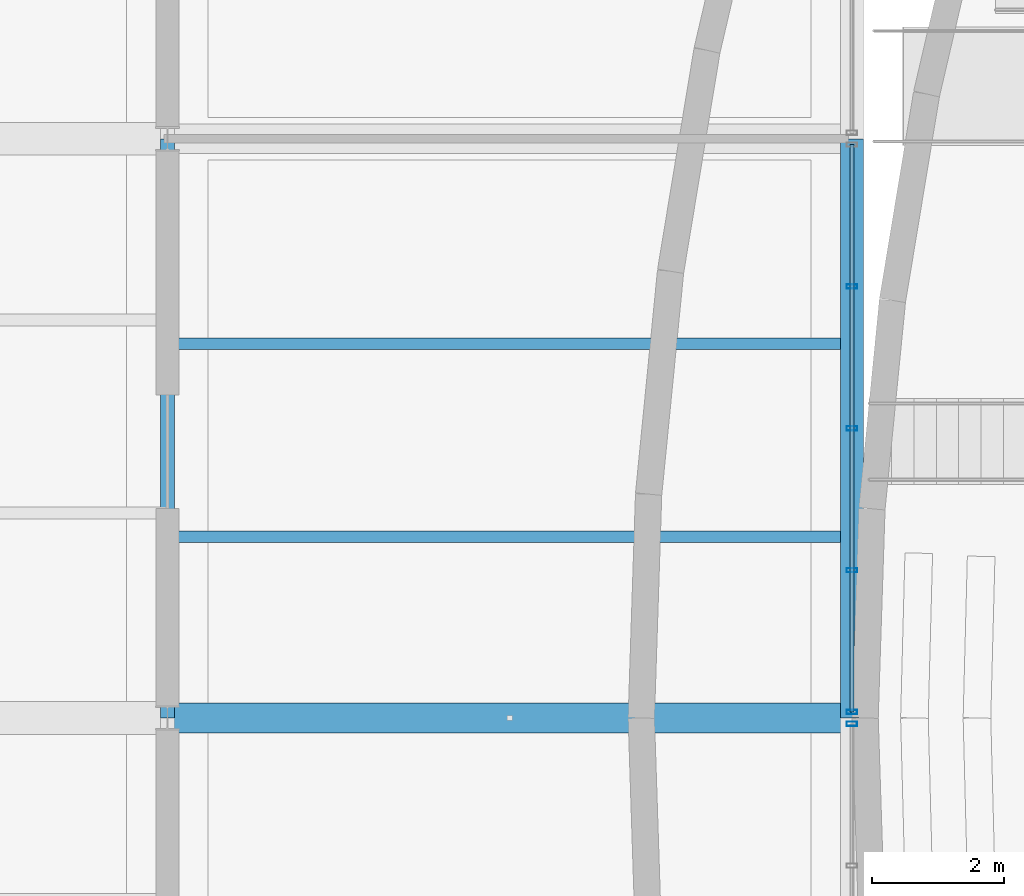
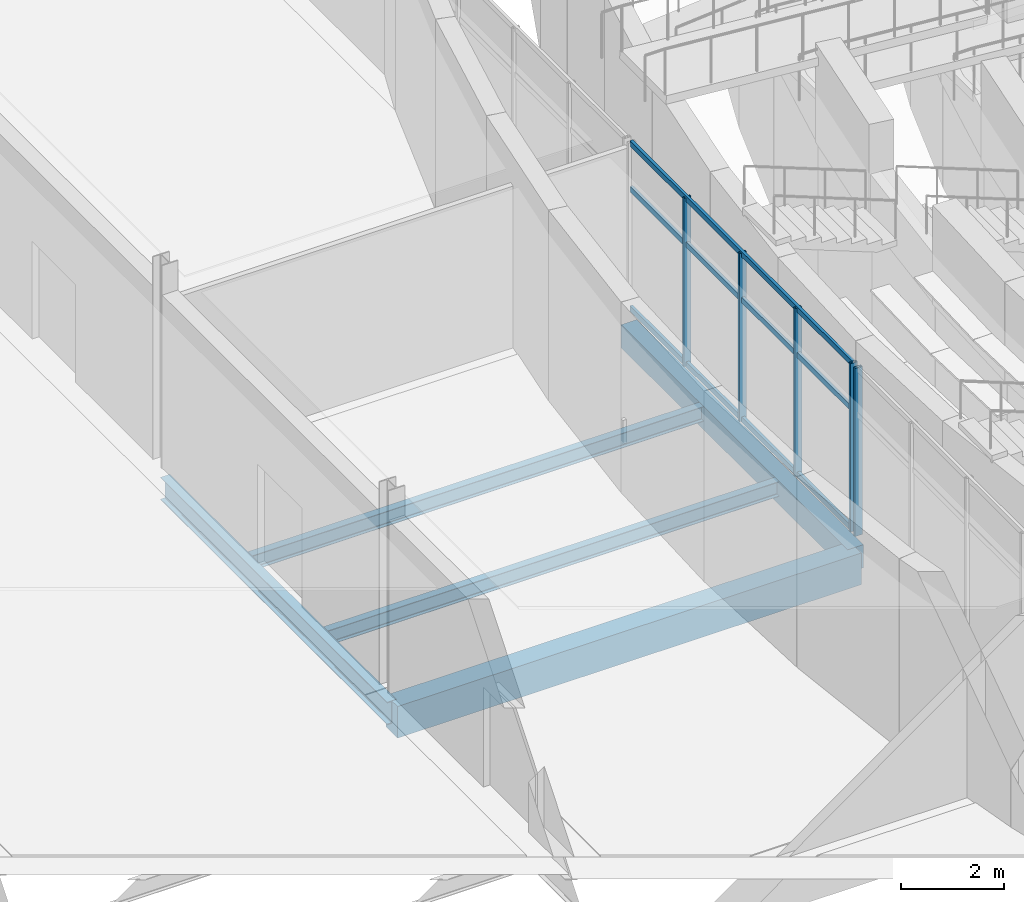
# One storey, part 60 of 116: 8 members, 5 beams, 2 elements without a shape of their own.
"""IFC4 building model written with IfcOpenShell, lengths in metres."""

from ifc_helpers import new_model, si_unit, direction, frame, origin, origin_2d, place, context, subcontext, project, spatial, rectangle, hollow_rectangle, i_section, extrude, material, layer, layer_set, material_profile, profile_set, type_object, element, aggregate, save


model = new_model("IFC4")

# Units and contexts
model_context = context("Model", 3, precision=1e-05, world=origin(), true_north=direction((0.0, 1.0)))
body_context = subcontext(model_context, "Body", "Model", "MODEL_VIEW")
ifc_project = project(units=[si_unit("LENGTHUNIT", "METRE"), si_unit("AREAUNIT", "SQUARE_METRE"), si_unit("VOLUMEUNIT", "CUBIC_METRE"), si_unit("PLANEANGLEUNIT", "RADIAN"), si_unit("MASSUNIT", "GRAM", prefix="KILO")], contexts=[model_context])

# Site, building, storey
site_placement = place(None, origin())
site = spatial("IfcSite", under=ifc_project, at=site_placement, CompositionType="ELEMENT")
building_placement = place(site_placement, origin())
building = spatial("IfcBuilding", under=site, at=building_placement, Name="Chalmorin Arch Market", CompositionType="ELEMENT")
storey_placement = place(building_placement, origin())
storey = spatial("IfcBuildingStorey", under=building, at=storey_placement, Name="L00", CompositionType="ELEMENT", Elevation=0.0)

# Beam
ifc_material_1 = material(Name="Concrete C40/50", Category="concrete")
ifc_material_profile_1 = material_profile(ifc_material_1, rectangle(XDim=0.449951171875, YDim=0.75, at=origin_2d()), Name="RC450X750")
ifc_profile_set_1 = profile_set([ifc_material_profile_1], Name="Concrete C40/50")
beam_type_1 = type_object("IfcBeamType", Name="BasementConcreteGirder-450x750", PredefinedType="BEAM", material=ifc_profile_set_1)
beam_1_placement = place(storey_placement, frame((124.800048828125, 32.39990234375, -0.72705078125), z_axis=(1.0, 0.0, 0.0), x_axis=(0.0, 1.0, 0.0)))
element("IfcBeam", 1, at=beam_1_placement, inside=storey, type_object=beam_type_1, Name="BG-RC2-0526", PredefinedType="BEAM", context=body_context, shape_type="SweptSolid", body=[
    extrude(rectangle(XDim=0.449951171875, YDim=0.75, at=origin_2d()), origin(), (0.0, 0.0, 1.0), 10.39990234375),
])

# Curtain wall, member
ifc_material_2 = material(Name="Aluminium 6063-T6", Category="aluminium")
ifc_layer = layer(ifc_material_2, 0.159912109375)
ifc_layer_set = layer_set([ifc_layer], Name="Aluminium 6063-T6")
curtain_wall_type = type_object("IfcCurtainWallType", Name="RiverfrontStorefrontCurtainWall-CW2-8620x3990", PredefinedType="NOTDEFINED", material=ifc_layer_set)
curtain_wall_1_placement = place(storey_placement, origin())
curtain_wall_1 = element("IfcCurtainWall", 2, at=curtain_wall_1_placement, inside=storey, type_object=curtain_wall_type, Name="CW-02-192", PredefinedType="NOTDEFINED")
ifc_material_profile_2 = material_profile(ifc_material_2, hollow_rectangle(XDim=0.06494140625, YDim=0.159912109375, WallThickness=0.00390625, at=origin_2d()), Name="ALU65X160X4")
ifc_profile_set_2 = profile_set([ifc_material_profile_2], Name="Aluminium 6063-T6")
member_type_1 = type_object("IfcMemberType", Name="CurtainWallMullion-65x160", PredefinedType="MULLION", material=ifc_profile_set_2)
member_1_placement = place(storey_placement, frame((135.199951171875, 32.31005859375, 0.0), z_axis=(0.0, 0.0, 1.0), x_axis=(0.0, 1.0, 0.0)))
member_1 = element("IfcMember", 3, at=member_1_placement, type_object=member_type_1, Name="ML-192-05", PredefinedType="MULLION", context=body_context, shape_type="SweptSolid", body=[
    extrude(hollow_rectangle(XDim=0.06494140625, YDim=0.159912109375, WallThickness=0.00390625, at=origin_2d()), origin(), (0.0, 0.0, 1.0), 3.986083984375),
])
aggregate(curtain_wall_1, [member_1])

# Curtain wall, members
curtain_wall_2_placement = place(storey_placement, origin())
curtain_wall_2 = element("IfcCurtainWall", 4, at=curtain_wall_2_placement, inside=storey, type_object=curtain_wall_type, Name="CW-02-193", PredefinedType="NOTDEFINED")
member_2_placement = place(storey_placement, frame((135.199951171875, 32.489990234375, 0.0), z_axis=(0.0, 0.0, 1.0), x_axis=(0.0, 1.0, 0.0)))
member_2 = element("IfcMember", 5, at=member_2_placement, type_object=member_type_1, Name="ML-193-01", PredefinedType="MULLION", context=body_context, shape_type="SweptSolid", body=[
    extrude(hollow_rectangle(XDim=0.06494140625, YDim=0.159912109375, WallThickness=0.00390625, at=origin_2d()), origin(), (0.0, 0.0, 1.0), 3.986083984375),
])
member_3_placement = place(storey_placement, frame((135.199951171875, 34.64501953125, 0.0), z_axis=(0.0, 0.0, 1.0), x_axis=(0.0, 1.0, 0.0)))
member_3 = element("IfcMember", 6, at=member_3_placement, type_object=member_type_1, Name="ML-193-02", PredefinedType="MULLION", context=body_context, shape_type="SweptSolid", body=[
    extrude(hollow_rectangle(XDim=0.06494140625, YDim=0.159912109375, WallThickness=0.00390625, at=origin_2d()), origin(), (0.0, 0.0, 1.0), 3.986083984375),
])
member_4_placement = place(storey_placement, frame((135.199951171875, 36.800048828125, 0.0), z_axis=(0.0, 0.0, 1.0), x_axis=(0.0, 1.0, 0.0)))
member_4 = element("IfcMember", 7, at=member_4_placement, type_object=member_type_1, Name="ML-193-03", PredefinedType="MULLION", context=body_context, shape_type="SweptSolid", body=[
    extrude(hollow_rectangle(XDim=0.06494140625, YDim=0.159912109375, WallThickness=0.00390625, at=origin_2d()), origin(), (0.0, 0.0, 1.0), 3.986083984375),
])
member_5_placement = place(storey_placement, frame((135.199951171875, 38.955078125, 0.0), z_axis=(0.0, 0.0, 1.0), x_axis=(0.0, 1.0, 0.0)))
member_5 = element("IfcMember", 8, at=member_5_placement, type_object=member_type_1, Name="ML-193-04", PredefinedType="MULLION", context=body_context, shape_type="SweptSolid", body=[
    extrude(hollow_rectangle(XDim=0.06494140625, YDim=0.159912109375, WallThickness=0.00390625, at=origin_2d()), origin(), (0.0, 0.0, 1.0), 3.986083984375),
])
ifc_material_profile_3 = material_profile(ifc_material_2, hollow_rectangle(XDim=0.06494140625, YDim=0.1298828125, WallThickness=0.00390625, at=origin_2d()), Name="ALU65X130X4")
ifc_profile_set_3 = profile_set([ifc_material_profile_3], Name="Aluminium 6063-T6")
member_type_2 = type_object("IfcMemberType", Name="CurtainWallTransom-65x130", PredefinedType="USERDEFINED", material=ifc_profile_set_3)
member_6_placement = place(storey_placement, frame((135.199951171875, 32.489990234375, 0.034912109375), z_axis=(0.0, 1.0, 0.0), x_axis=(-1.0, 0.0, 0.0)))
member_6 = element("IfcMember", 9, at=member_6_placement, type_object=member_type_2, Name="TR-193-01", ObjectType="TRANSOM", PredefinedType="USERDEFINED", context=body_context, shape_type="SweptSolid", body=[
    extrude(hollow_rectangle(XDim=0.06494140625, YDim=0.1298828125, WallThickness=0.00390625, at=origin_2d()), origin(), (0.0, 0.0, 1.0), 8.6201171875),
])
member_7_placement = place(storey_placement, frame((135.199951171875, 32.489990234375, 2.869873046875), z_axis=(0.0, 1.0, 0.0), x_axis=(-1.0, 0.0, 0.0)))
member_7 = element("IfcMember", 10, at=member_7_placement, type_object=member_type_2, Name="TR-193-02", ObjectType="TRANSOM", PredefinedType="USERDEFINED", context=body_context, shape_type="SweptSolid", body=[
    extrude(hollow_rectangle(XDim=0.06494140625, YDim=0.1298828125, WallThickness=0.00390625, at=origin_2d()), origin(), (0.0, 0.0, 1.0), 8.6201171875),
])
member_8_placement = place(storey_placement, frame((135.199951171875, 32.489990234375, 3.950927734375), z_axis=(0.0, 1.0, 0.0), x_axis=(-1.0, 0.0, 0.0)))
member_8 = element("IfcMember", 11, at=member_8_placement, type_object=member_type_2, Name="TR-193-03", ObjectType="TRANSOM", PredefinedType="USERDEFINED", context=body_context, shape_type="SweptSolid", body=[
    extrude(hollow_rectangle(XDim=0.06494140625, YDim=0.1298828125, WallThickness=0.00390625, at=origin_2d()), origin(), (0.0, 0.0, 1.0), 8.6201171875),
])
aggregate(curtain_wall_2, [member_2, member_3, member_4, member_5, member_6, member_7, member_8])

# Beams
ifc_material_3 = material(Name="Steel A992 Grade 50", Category="steel")
ifc_material_profile_4 = material_profile(ifc_material_3, i_section(OverallWidth=0.208984375, OverallDepth=0.532958984375, WebThickness=0.01025390625, FlangeThickness=0.015625, FilletRadius=0.02197265625, at=origin_2d()), Name="W21X62")
ifc_profile_set_4 = profile_set([ifc_material_profile_4], Name="Steel A992 Grade 50")
beam_type_2 = type_object("IfcBeamType", Name="PerimeterSpandrelBeam-W21X62", PredefinedType="SPANDREL", material=ifc_profile_set_4)
beam_2_placement = place(storey_placement, frame((124.800048828125, 32.39990234375, -0.618408203125), z_axis=(0.0, 1.0, 0.0), x_axis=(-1.0, 0.0, 0.0)))
element("IfcBeam", 12, at=beam_2_placement, inside=storey, type_object=beam_type_2, Name="SP-W21-0106", PredefinedType="SPANDREL", context=body_context, shape_type="SweptSolid", body=[
    extrude(i_section(OverallWidth=0.208984375, OverallDepth=0.532958984375, WebThickness=0.01025390625, FlangeThickness=0.015625, FilletRadius=0.02197265625, at=origin_2d()), origin(), (0.0, 0.0, 1.0), 8.800048828125),
])
ifc_material_profile_5 = material_profile(ifc_material_3, i_section(OverallWidth=0.1708984375, OverallDepth=0.35107421875, WebThickness=0.0068359375, FlangeThickness=0.009765625, FilletRadius=0.014892578125, at=origin_2d()), Name="W14X30")
ifc_profile_set_5 = profile_set([ifc_material_profile_5], Name="Steel A992 Grade 50")
beam_type_3 = type_object("IfcBeamType", Name="SecondaryFloorJoist-W14X30", PredefinedType="JOIST", material=ifc_profile_set_5)
for number, where, z_axis, x_axis, name in (
    (13, (124.800048828125, 35.1533203125, -0.527587890625), (1.0, 0.0, 0.0), (0.0, 1.0, 0.0), "BJ-W14-0540"),
    (14, (124.800048828125, 38.086669921875, -0.527587890625), (1.0, 0.0, 0.0), (0.0, 1.0, 0.0), "BJ-W14-0541"),
):
    element("IfcBeam", number, at=place(storey_placement, frame(where, z_axis=z_axis, x_axis=x_axis)), inside=storey, type_object=beam_type_3, Name=name, PredefinedType="JOIST", context=body_context, shape_type="SweptSolid", body=[
        extrude(i_section(OverallWidth=0.1708984375, OverallDepth=0.35107421875, WebThickness=0.0068359375, FlangeThickness=0.009765625, FilletRadius=0.014892578125, at=origin_2d()), origin(), (0.0, 0.0, 1.0), 10.39990234375),
    ])
ifc_material_profile_6 = material_profile(ifc_material_1, rectangle(XDim=0.35009765625, YDim=0.550048828125, at=origin_2d()), Name="RC350X550")
ifc_profile_set_6 = profile_set([ifc_material_profile_6], Name="Concrete C40/50")
beam_type_4 = type_object("IfcBeamType", Name="TerraceEdgeBeam-350x550", PredefinedType="SPANDREL", material=ifc_profile_set_6)
beam_3_placement = place(storey_placement, frame((135.199951171875, 32.39990234375, -0.626953125), z_axis=(0.0, 1.0, 0.0), x_axis=(-1.0, 0.0, 0.0)))
element("IfcBeam", 15, at=beam_3_placement, inside=storey, type_object=beam_type_4, Name="SP-RC1-0529", PredefinedType="SPANDREL", context=body_context, shape_type="SweptSolid", body=[
    extrude(rectangle(XDim=0.35009765625, YDim=0.550048828125, at=origin_2d()), origin(), (0.0, 0.0, 1.0), 8.800048828125),
])

save(model, "model.ifc")
